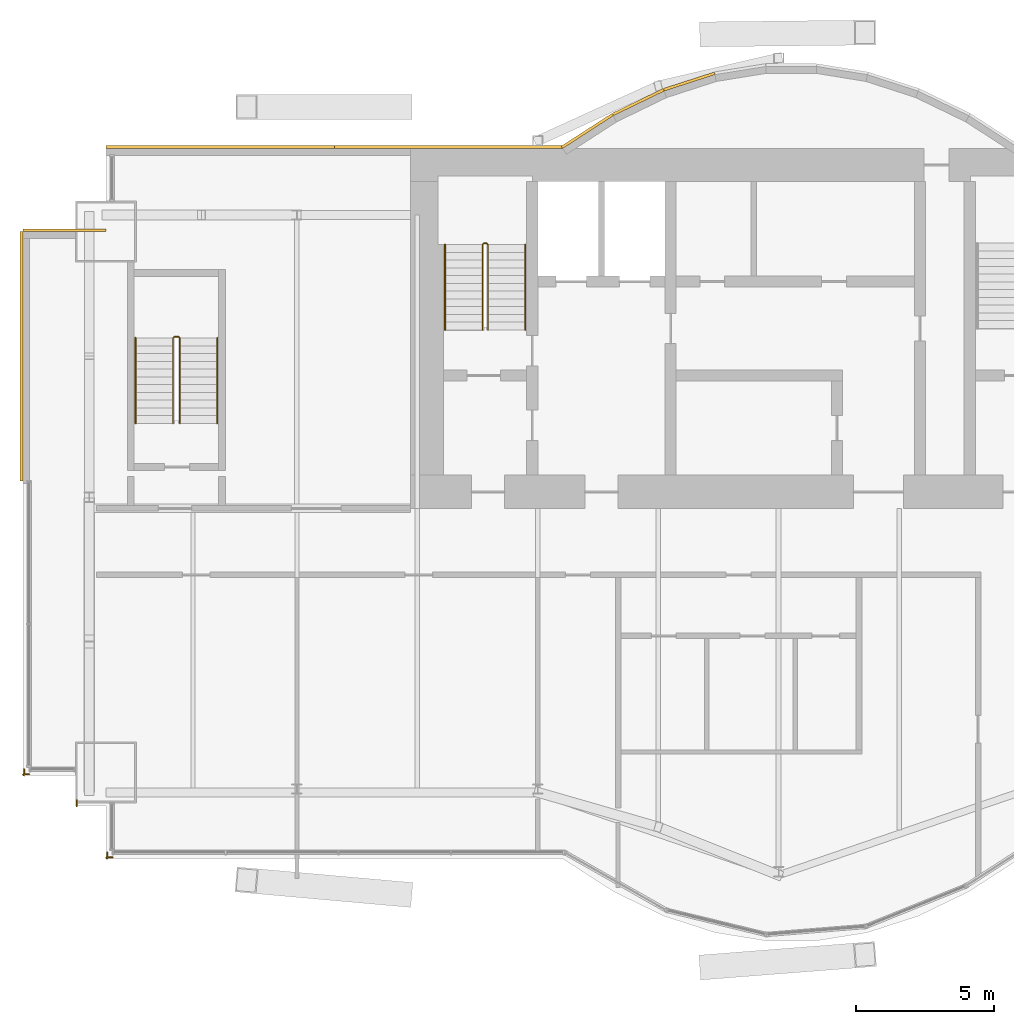
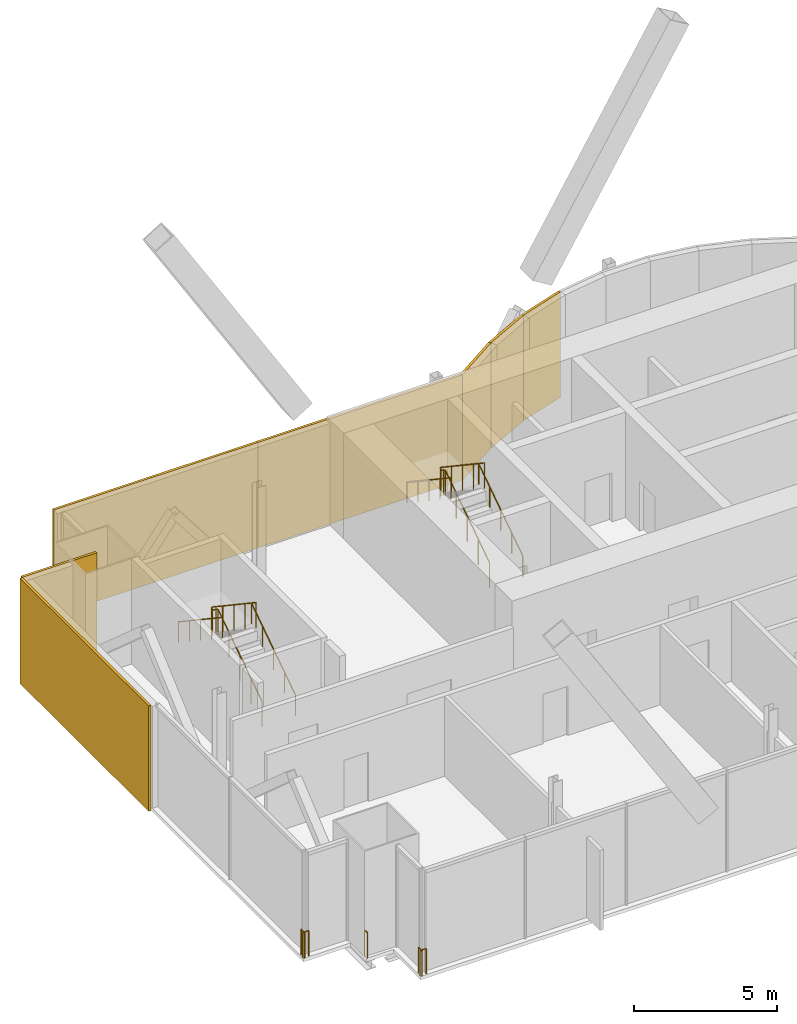
# One storey, part 17 of 19: 9 railings, 7 coverings.
"""IFC4 building model written with IfcOpenShell, lengths in metres."""

import ifcopenshell
import ifcopenshell.guid

model = None  # the IFC model being written
_history = None  # IfcOwnerHistory: only IFC2X3 demands one
_inside = {}  # id of a spatial element -> (the spatial element, [elements in it])
_under = {}  # id of a project, library or spatial element -> (it, [spatial elements below it])
_declared = {}  # id of a project -> (the project, [libraries it declares])
_typed = {}  # id of a type object -> (the type object, [elements of that type])
_made_of = {}  # id of a material, layer set ... -> (it, [elements and type objects made of it])


def new_model(schema):
    """Start an empty IFC model of exactly this schema.

    Asked for "IFC4X3", IfcOpenShell would pick the latest addendum, in which some entities
    have other attributes; the version numbers below select the first issue.
    IFC2X3 requires an IfcOwnerHistory on every rooted entity: one is made here for all.
    """
    global model, _history
    if schema == "IFC4X3":
        model = ifcopenshell.file(schema_version=(4, 3, 0, 0))
    else:
        model = ifcopenshell.file(schema=schema)
    _inside.clear()
    _under.clear()
    _declared.clear()
    _typed.clear()
    _made_of.clear()
    _history = None
    if model.schema == "IFC2X3":
        org = make("IfcOrganization", Name="unknown")
        user = make(
            "IfcPersonAndOrganization",
            ThePerson=make("IfcPerson", FamilyName="unknown"),
            TheOrganization=org,
        )
        app = make(
            "IfcApplication",
            ApplicationDeveloper=org,
            Version="unknown",
            ApplicationFullName="unknown",
            ApplicationIdentifier="unknown",
        )
        _history = make(
            "IfcOwnerHistory",
            OwningUser=user,
            OwningApplication=app,
            ChangeAction="ADDED",
            CreationDate=0,
        )
    return model


def make(cls, **values):
    """One entity of the class cls with the attributes given. An attribute that is None is left unset."""
    return model.create_entity(
        cls, **{name: value for name, value in values.items() if value is not None}
    )


def rooted(cls, **values):
    """An entity with a GlobalId (a new one), such as an element, a storey or a relation."""
    return make(cls, GlobalId=ifcopenshell.guid.new(), OwnerHistory=_history, **values)


def si_unit(unit_type, name, prefix=None):
    """IfcSIUnit, for example si_unit("LENGTHUNIT", "METRE", prefix="MILLI")."""
    return make("IfcSIUnit", UnitType=unit_type, Prefix=prefix, Name=name)


def assignment(units):
    """IfcUnitAssignment: the units of a project."""
    return None if units is None else make("IfcUnitAssignment", Units=units)


def point(xyz):
    """IfcCartesianPoint."""
    return None if xyz is None else make("IfcCartesianPoint", Coordinates=xyz)


def direction(xyz):
    """IfcDirection."""
    return None if xyz is None else make("IfcDirection", DirectionRatios=xyz)


def frame(location, z_axis=None, x_axis=None):
    """IfcAxis2Placement3D, a coordinate frame: its origin and axes. An axis left out is left unset."""
    return make(
        "IfcAxis2Placement3D",
        Location=point(location),
        Axis=direction(z_axis),
        RefDirection=direction(x_axis),
    )


def frame_2d(location, x_axis=None):
    """IfcAxis2Placement2D, a coordinate frame in the plane: its origin and x axis."""
    return make(
        "IfcAxis2Placement2D", Location=point(location), RefDirection=direction(x_axis)
    )


def origin():
    """The frame at (0, 0, 0) with its axes left unset."""
    return frame((0.0, 0.0, 0.0))


def origin_2d():
    """The frame at (0, 0) in the plane with its x axis left unset."""
    return frame_2d((0.0, 0.0))


def place(relative_to, where):
    """IfcLocalPlacement: puts the frame where relative to a parent placement (None: the world)."""
    return make(
        "IfcLocalPlacement", PlacementRelTo=relative_to, RelativePlacement=where
    )


def context(
    kind, dimensions, precision=None, world=None, true_north=None, identifier=None
):
    """IfcGeometricRepresentationContext, for example the 3D "Model" context."""
    return make(
        "IfcGeometricRepresentationContext",
        ContextIdentifier=identifier,
        ContextType=kind,
        CoordinateSpaceDimension=dimensions,
        Precision=precision,
        WorldCoordinateSystem=world,
        TrueNorth=true_north,
    )


def subcontext(parent, identifier, kind, view, scale=None):
    """IfcGeometricRepresentationSubContext, for example "Body" below "Model"."""
    return make(
        "IfcGeometricRepresentationSubContext",
        ContextIdentifier=identifier,
        ContextType=kind,
        ParentContext=parent,
        TargetScale=scale,
        TargetView=view,
    )


def project(units=None, contexts=None):
    """IfcProject with its units and contexts."""
    return rooted(
        "IfcProject",
        Name="project",
        RepresentationContexts=contexts,
        UnitsInContext=assignment(units),
    )


def spatial(cls, under=None, at=None, **own):
    """A site, building, storey or space (cls), placed at a placement, below another one or the project."""
    s = rooted(cls, ObjectPlacement=at, **own)
    if under is not None:
        _under.setdefault(under.id(), (under, []))[1].append(s)
    return s


def profile(cls, at=None, kind="AREA", **sizes):
    """A parametric profile (cls). Its sizes go by their IFC names, for example OverallWidth=200.0."""
    return make(cls, ProfileType=kind, Position=at, **sizes)


def rectangle(**sizes):
    """IfcRectangleProfileDef."""
    return profile("IfcRectangleProfileDef", **sizes)


def circle(**sizes):
    """IfcCircleProfileDef."""
    return profile("IfcCircleProfileDef", **sizes)


def extrude(swept, where, along, depth):
    """IfcExtrudedAreaSolid: the profile swept, set in the frame where, extruded along a direction by depth."""
    return make(
        "IfcExtrudedAreaSolid",
        SweptArea=swept,
        Position=where,
        ExtrudedDirection=direction(along),
        Depth=depth,
    )


def shape(context_of_items, identifier, shape_type, items):
    """IfcShapeRepresentation: the items that make up one representation, for example the "Body"."""
    return make(
        "IfcShapeRepresentation",
        ContextOfItems=context_of_items,
        RepresentationIdentifier=identifier,
        RepresentationType=shape_type,
        Items=items,
    )


def material(Name=None, Category=None):
    """IfcMaterial."""
    return make("IfcMaterial", Name=Name, Category=Category)


def layer(
    of_material, thickness, ventilated=None, Name=None, Category=None, Priority=None
):
    """IfcMaterialLayer: one layer of a wall or slab, of a material (None: an air gap)."""
    return make(
        "IfcMaterialLayer",
        Material=of_material,
        LayerThickness=thickness,
        IsVentilated=ventilated,
        Name=Name,
        Category=Category,
        Priority=Priority,
    )


def layer_set(layers, Name=None):
    """IfcMaterialLayerSet."""
    return make("IfcMaterialLayerSet", MaterialLayers=layers, LayerSetName=Name)


def made_of(thing, what):
    """Note that an element or type object is made of a material, layer set ...; save() writes the relation."""
    if what is not None:
        _made_of.setdefault(what.id(), (what, []))[1].append(thing)
    return thing


def type_object(cls, material=None, **own):
    """A type object (cls), such as IfcWallType, which elements share."""
    return made_of(rooted(cls, **own), material)


def element(
    cls,
    number,
    at=None,
    inside=None,
    cuts=None,
    type_object=None,
    material=None,
    context=None,
    identifier="Body",
    shape_type=None,
    held_by="IfcProductDefinitionShape",
    body=None,
    shapes=None,
    **own,
):
    """One element of the class cls, such as IfcWall. Its Tag is "e" and its number.

    at: its placement. inside: the storey or other place that contains it. cuts: it is an
    opening in that element (IfcRelVoidsElement). A single representation is given by context,
    identifier, shape_type and body (its items); several are given by shapes. held_by: the class
    of the entity that holds the representations. save() writes the other relations.
    """
    e = rooted(cls, Tag="e%d" % number, ObjectPlacement=at, **own)
    if body is not None:
        shapes = [shape(context, identifier, shape_type, body)]
    if shapes is not None:
        e.Representation = make(held_by, Representations=shapes)
    if inside is not None:
        _inside.setdefault(inside.id(), (inside, []))[1].append(e)
    if cuts is not None:
        rooted(
            "IfcRelVoidsElement", RelatingBuildingElement=cuts, RelatedOpeningElement=e
        )
    if type_object is not None:
        _typed.setdefault(type_object.id(), (type_object, []))[1].append(e)
    return made_of(e, material)


def aggregate(whole, parts):
    """IfcRelAggregates: a whole, such as a stair, and the parts it consists of."""
    return rooted("IfcRelAggregates", RelatingObject=whole, RelatedObjects=parts)


def save(model, path):
    """Write the relations noted so far, then the file.

    IfcRelAggregates (storeys below a building ...), IfcRelContainedInSpatialStructure (elements
    in a storey), IfcRelDefinesByType, IfcRelAssociatesMaterial and IfcRelDeclares: one each for
    every whole, place, type object, material and project.
    """
    for whole, parts in _under.values():
        aggregate(whole, parts)
    for where, things in _inside.values():
        rooted(
            "IfcRelContainedInSpatialStructure",
            RelatedElements=things,
            RelatingStructure=where,
        )
    for kind, things in _typed.values():
        rooted("IfcRelDefinesByType", RelatedObjects=things, RelatingType=kind)
    for what, things in _made_of.values():
        rooted("IfcRelAssociatesMaterial", RelatedObjects=things, RelatingMaterial=what)
    for by, libraries in _declared.values():
        rooted("IfcRelDeclares", RelatingContext=by, RelatedDefinitions=libraries)
    model.write(path)


model = new_model("IFC4")

# Units and contexts
model_context = context("Model", 3, precision=1e-05, world=origin(), true_north=direction((0.0, 1.0)))
body_context = subcontext(model_context, "Body", "Model", "MODEL_VIEW")
ifc_project = project(units=[si_unit("LENGTHUNIT", "METRE"), si_unit("AREAUNIT", "SQUARE_METRE"), si_unit("VOLUMEUNIT", "CUBIC_METRE"), si_unit("PLANEANGLEUNIT", "RADIAN"), si_unit("MASSUNIT", "GRAM", prefix="KILO")], contexts=[model_context])

# Site, building, storey
site_placement = place(None, origin())
site = spatial("IfcSite", under=ifc_project, at=site_placement, CompositionType="ELEMENT")
building_placement = place(site_placement, origin())
building = spatial("IfcBuilding", under=site, at=building_placement, Name="Bicima Exchange Tower", CompositionType="ELEMENT")
storey_placement = place(building_placement, frame((0.0, 0.0, 324.5)))
storey = spatial("IfcBuildingStorey", under=building, at=storey_placement, Name="L73", CompositionType="ELEMENT", Elevation=324.5)

# Coverings
ifc_material_1 = material(Name="Bronze metal cladding")
ifc_layer_1 = layer(ifc_material_1, 0.004)
ifc_material_2 = material(Name="Ventilated cavity")
ifc_layer_2 = layer(ifc_material_2, 0.06)
ifc_material_3 = material(Name="Galvanised steel rail and mineral wool", Category="steel")
ifc_layer_3 = layer(ifc_material_3, 0.036)
ifc_layer_set = layer_set([ifc_layer_1, ifc_layer_2, ifc_layer_3], Name="Ventilated cavity")
covering_type = type_object("IfcCoveringType", Name="Bronze metal cladding panel 100", PredefinedType="CLADDING", material=ifc_layer_set)
covering_1_placement = place(storey_placement, frame((-11.931884765625, 2.41796875, -0.14990234375), z_axis=(0.0, 0.0, 1.0), x_axis=(-0.951524642381, -0.307572519808, 0.0)))
element("IfcCovering", 1, at=covering_1_placement, inside=storey, type_object=covering_type, Name="Bronze cladding L73 17.1", PredefinedType="CLADDING", context=body_context, shape_type="SweptSolid", body=[
    extrude(rectangle(XDim=1.9267578125, YDim=0.10009765625, at=origin_2d()), origin(), (0.0, 0.0, 1.0), 4.5),
])
covering_2_placement = place(storey_placement, frame((-13.771728515625, 1.674560546875, -0.14990234375), z_axis=(0.0, 0.0, 1.0), x_axis=(-0.899818346812, -0.436264762204, 0.0)))
element("IfcCovering", 2, at=covering_2_placement, inside=storey, type_object=covering_type, Name="Bronze cladding L73 18.1", PredefinedType="CLADDING", context=body_context, shape_type="SweptSolid", body=[
    extrude(rectangle(XDim=2.03759765625, YDim=0.10009765625, at=origin_2d()), origin(), (0.0, 0.0, 1.0), 4.5),
])
covering_3_placement = place(storey_placement, frame((-15.610595703125, 0.634521484375, -0.14990234375), z_axis=(0.0, 0.0, 1.0), x_axis=(-0.839790466384, -0.542910648791, 0.0)))
element("IfcCovering", 3, at=covering_3_placement, inside=storey, type_object=covering_type, Name="Bronze cladding L73 19.1", PredefinedType="CLADDING", context=body_context, shape_type="SweptSolid", body=[
    extrude(rectangle(XDim=2.18310546875, YDim=0.10009765625, at=origin_2d()), origin(), (0.0, 0.0, 1.0), 4.5),
])
for number, where, z_axis, x_axis, name in (
    (4, (-20.625, 0.050048828125, -0.14990234375), (0.0, 0.0, 1.0), (-1.0, 0.0, 0.0), "Bronze cladding L73 20.1"),
    (5, (-28.875, 0.050048828125, -0.14990234375), (0.0, 0.0, 1.0), (-1.0, 0.0, 0.0), "Bronze cladding L73 20.2"),
):
    element("IfcCovering", number, at=place(storey_placement, frame(where, z_axis=z_axis, x_axis=x_axis)), inside=storey, type_object=covering_type, Name=name, PredefinedType="CLADDING", context=body_context, shape_type="SweptSolid", body=[
        extrude(rectangle(XDim=8.25, YDim=0.10009765625, at=origin_2d()), origin(), (0.0, 0.0, 1.0), 4.5),
    ])
covering_4_placement = place(storey_placement, frame((-34.5, -2.949951171875, -0.14990234375), z_axis=(0.0, 0.0, 1.0), x_axis=(-1.0, 0.0, 0.0)))
element("IfcCovering", 6, at=covering_4_placement, inside=storey, type_object=covering_type, Name="Bronze cladding L73 22.1", PredefinedType="CLADDING", context=body_context, shape_type="SweptSolid", body=[
    extrude(rectangle(XDim=3.0, YDim=0.10009765625, at=origin_2d()), origin(), (0.0, 0.0, 1.0), 4.5),
])
covering_5_placement = place(storey_placement, frame((-36.050048828125, -7.5, -0.14990234375), z_axis=(0.0, 0.0, 1.0), x_axis=(0.0, -1.0, 0.0)))
element("IfcCovering", 7, at=covering_5_placement, inside=storey, type_object=covering_type, Name="Bronze cladding L73 23.1", PredefinedType="CLADDING", context=body_context, shape_type="SweptSolid", body=[
    extrude(rectangle(XDim=9.0, YDim=0.10009765625, at=origin_2d()), origin(), (0.0, 0.0, 1.0), 4.5),
])

# Railings
ifc_material_4 = material(Name="Stainless steel and bonded safety glass", Category="steel")
railing_type_1 = type_object("IfcRailingType", Name="Edge guard 1100", PredefinedType="GUARDRAIL", material=ifc_material_4)
railing_1_placement = place(storey_placement, frame((-35.762939453125, -22.60205078125, 0.0)))
element("IfcRailing", 8, at=railing_1_placement, inside=storey, type_object=railing_type_1, Name="Edge guard L73 379", PredefinedType="GUARDRAIL", context=body_context, shape_type="SweptSolid", body=[
    extrude(circle(Radius=0.02392578125, at=origin_2d()), frame((0.0, 0.0, 1.076171875), z_axis=(-1.0, 0.0, 0.0), x_axis=(0.0, -1.0, 0.0)), (0.0, 0.0, 1.0), 0.237060546875),
    extrude(circle(Radius=0.02392578125, at=origin_2d()), frame((-0.237060546875, 0.0, 1.076171875), z_axis=(0.707106781187, -0.707106781187, 0.0), x_axis=(0.707106781187, 0.707106781187, 0.0)), (0.0, 0.0, 1.0), 0.07080078125),
    extrude(circle(Radius=0.02392578125, at=origin_2d()), frame((-0.18701171875, -0.050048828125, 1.076171875), z_axis=(0.0, 1.0, 0.0), x_axis=(-1.0, 0.0, 0.0)), (0.0, 0.0, 1.0), 0.2490234375),
    extrude(circle(Radius=0.02099609375, at=origin_2d()), origin(), (0.0, 0.0, 1.0), 1.052001953125),
    extrude(circle(Radius=0.02099609375, at=origin_2d()), frame((-0.237060546875, 0.0, 0.0)), (0.0, 0.0, 1.0), 1.052001953125),
    extrude(circle(Radius=0.02099609375, at=origin_2d()), frame((-0.18701171875, -0.050048828125, 0.0)), (0.0, 0.0, 1.0), 1.052001953125),
    extrude(circle(Radius=0.02099609375, at=origin_2d()), frame((-0.18701171875, 0.198974609375, 0.0)), (0.0, 0.0, 1.0), 1.052001953125),
])
railing_2_placement = place(storey_placement, frame((-32.75, -25.60205078125, 0.0)))
element("IfcRailing", 9, at=railing_2_placement, inside=storey, type_object=railing_type_1, Name="Edge guard L73 383", PredefinedType="GUARDRAIL", context=body_context, shape_type="SweptSolid", body=[
    extrude(circle(Radius=0.02392578125, at=origin_2d()), frame((0.0, 0.0, 1.076171875), z_axis=(-1.0, 0.0, 0.0), x_axis=(0.0, -1.0, 0.0)), (0.0, 0.0, 1.0), 0.25),
    extrude(circle(Radius=0.02392578125, at=origin_2d()), frame((-0.25, 0.0, 1.076171875), z_axis=(0.707106781187, -0.707106781187, 0.0), x_axis=(0.707106781187, 0.707106781187, 0.0)), (0.0, 0.0, 1.0), 0.07080078125),
    extrude(circle(Radius=0.02392578125, at=origin_2d()), frame((-0.199951171875, -0.050048828125, 1.076171875), z_axis=(0.0, 1.0, 0.0), x_axis=(-1.0, 0.0, 0.0)), (0.0, 0.0, 1.0), 0.237060546875),
    extrude(circle(Radius=0.02099609375, at=origin_2d()), origin(), (0.0, 0.0, 1.0), 1.052001953125),
    extrude(circle(Radius=0.02099609375, at=origin_2d()), frame((-0.25, 0.0, 0.0)), (0.0, 0.0, 1.0), 1.052001953125),
    extrude(circle(Radius=0.02099609375, at=origin_2d()), frame((-0.199951171875, -0.050048828125, 0.0)), (0.0, 0.0, 1.0), 1.052001953125),
    extrude(circle(Radius=0.02099609375, at=origin_2d()), frame((-0.199951171875, 0.18701171875, 0.0)), (0.0, 0.0, 1.0), 1.052001953125),
])
railing_3_placement = place(storey_placement, frame((-34.050048828125, -23.751953125, 0.0)))
element("IfcRailing", 10, at=railing_3_placement, inside=storey, type_object=railing_type_1, Name="Edge guard L73 384", PredefinedType="GUARDRAIL", context=body_context, shape_type="SweptSolid", body=[
    extrude(circle(Radius=0.02392578125, at=origin_2d()), frame((0.0, 0.0, 1.076171875), z_axis=(0.0, 1.0, 0.0), x_axis=(-1.0, 0.0, 0.0)), (0.0, 0.0, 1.0), 0.219970703125),
    extrude(circle(Radius=0.02099609375, at=origin_2d()), origin(), (0.0, 0.0, 1.0), 1.052001953125),
    extrude(circle(Radius=0.02099609375, at=origin_2d()), frame((0.0, 0.219970703125, 0.0)), (0.0, 0.0, 1.0), 1.052001953125),
])
ifc_material_5 = material(Name="Stainless steel", Category="steel")
railing_type_2 = type_object("IfcRailingType", Name="Stair guard 1100", PredefinedType="GUARDRAIL", material=ifc_material_5)
railing_4_placement = place(storey_placement, frame((-19.199951171875, -6.550048828125, 0.1875)))
element("IfcRailing", 11, at=railing_4_placement, inside=storey, type_object=railing_type_2, Name="L73 ST-W stair guard 1", PredefinedType="GUARDRAIL", context=body_context, shape_type="SweptSolid", body=[
    extrude(circle(Radius=0.02392578125, at=origin_2d()), frame((0.0, 0.0, 1.076171875), z_axis=(0.0, 0.830913701846, 0.55640131208), x_axis=(-1.0, 0.0, 0.0)), (0.0, 0.0, 1.0), 3.706787109375),
    extrude(circle(Radius=0.02392578125, at=origin_2d()), frame((0.0, 3.080078125, 3.138671875), z_axis=(-0.707106781187, 0.707106781187, 0.0), x_axis=(-0.707106781187, -0.707106781187, 0.0)), (0.0, 0.0, 1.0), 0.07080078125),
    extrude(circle(Radius=0.02392578125, at=origin_2d()), frame((-0.050048828125, 3.130126953125, 3.138671875), z_axis=(-1.0, 0.0, 0.0), x_axis=(0.0, -1.0, 0.0)), (0.0, 0.0, 1.0), 0.10009765625),
    extrude(circle(Radius=0.02392578125, at=origin_2d()), frame((-0.150146484375, 3.130126953125, 3.138671875), z_axis=(-0.248583702486, -0.249802250048, 0.935844527007), x_axis=(0.708833529934, -0.705375805398, 0.0)), (0.0, 0.0, 1.0), 0.200439453125),
    extrude(circle(Radius=0.02392578125, at=origin_2d()), frame((-0.199951171875, 3.080078125, 3.326171875), z_axis=(0.0, -0.830913701846, 0.55640131208), x_axis=(1.0, 0.0, 0.0)), (0.0, 0.0, 1.0), 3.706787109375),
    extrude(circle(Radius=0.02099609375, at=origin_2d()), origin(), (0.0, 0.0, 1.0), 1.052001953125),
    extrude(circle(Radius=0.02099609375, at=origin_2d()), frame((0.0, 0.77001953125, 0.515625)), (0.0, 0.0, 1.0), 1.052001953125),
    extrude(circle(Radius=0.02099609375, at=origin_2d()), frame((0.0, 1.5400390625, 1.03125)), (0.0, 0.0, 1.0), 1.052001953125),
    extrude(circle(Radius=0.02099609375, at=origin_2d()), frame((0.0, 2.31005859375, 1.546875)), (0.0, 0.0, 1.0), 1.052001953125),
    extrude(circle(Radius=0.02099609375, at=origin_2d()), frame((0.0, 3.080078125, 2.0625)), (0.0, 0.0, 1.0), 1.052001953125),
    extrude(circle(Radius=0.02099609375, at=origin_2d()), frame((-0.050048828125, 3.130126953125, 2.0625)), (0.0, 0.0, 1.0), 1.052001953125),
    extrude(circle(Radius=0.02099609375, at=origin_2d()), frame((-0.150146484375, 3.130126953125, 2.0625)), (0.0, 0.0, 1.0), 1.052001953125),
    extrude(circle(Radius=0.02099609375, at=origin_2d()), frame((-0.199951171875, 3.080078125, 2.25)), (0.0, 0.0, 1.0), 1.052001953125),
    extrude(circle(Radius=0.02099609375, at=origin_2d()), frame((-0.199951171875, 2.31005859375, 2.765625)), (0.0, 0.0, 1.0), 1.052001953125),
    extrude(circle(Radius=0.02099609375, at=origin_2d()), frame((-0.199951171875, 1.5400390625, 3.28125)), (0.0, 0.0, 1.0), 1.052001953125),
    extrude(circle(Radius=0.02099609375, at=origin_2d()), frame((-0.199951171875, 0.77001953125, 3.796875)), (0.0, 0.0, 1.0), 1.052001953125),
    extrude(circle(Radius=0.02099609375, at=origin_2d()), frame((-0.199951171875, 0.0, 4.3125)), (0.0, 0.0, 1.0), 1.052001953125),
])
railing_5_placement = place(storey_placement, frame((-30.324951171875, -9.925048828125, 0.1875)))
element("IfcRailing", 12, at=railing_5_placement, inside=storey, type_object=railing_type_2, Name="L73 ST-WW stair guard 1", PredefinedType="GUARDRAIL", context=body_context, shape_type="SweptSolid", body=[
    extrude(circle(Radius=0.02392578125, at=origin_2d()), frame((0.0, 0.0, 1.076171875), z_axis=(0.0, 0.830913701846, 0.55640131208), x_axis=(-1.0, 0.0, 0.0)), (0.0, 0.0, 1.0), 3.706787109375),
    extrude(circle(Radius=0.02392578125, at=origin_2d()), frame((0.0, 3.080078125, 3.138671875), z_axis=(-0.707106781187, 0.707106781187, 0.0), x_axis=(-0.707106781187, -0.707106781187, 0.0)), (0.0, 0.0, 1.0), 0.07080078125),
    extrude(circle(Radius=0.02392578125, at=origin_2d()), frame((-0.050048828125, 3.130126953125, 3.138671875), z_axis=(-1.0, 0.0, 0.0), x_axis=(0.0, -1.0, 0.0)), (0.0, 0.0, 1.0), 0.14990234375),
    extrude(circle(Radius=0.02392578125, at=origin_2d()), frame((-0.199951171875, 3.130126953125, 3.138671875), z_axis=(-0.249726431254, -0.249726431254, 0.935560483917), x_axis=(0.707106781187, -0.707106781187, 0.0)), (0.0, 0.0, 1.0), 0.200439453125),
    extrude(circle(Radius=0.02392578125, at=origin_2d()), frame((-0.25, 3.080078125, 3.326171875), z_axis=(0.0, -0.830913701846, 0.55640131208), x_axis=(1.0, 0.0, 0.0)), (0.0, 0.0, 1.0), 3.706787109375),
    extrude(circle(Radius=0.02099609375, at=origin_2d()), origin(), (0.0, 0.0, 1.0), 1.052001953125),
    extrude(circle(Radius=0.02099609375, at=origin_2d()), frame((0.0, 0.77001953125, 0.515625)), (0.0, 0.0, 1.0), 1.052001953125),
    extrude(circle(Radius=0.02099609375, at=origin_2d()), frame((0.0, 1.5400390625, 1.03125)), (0.0, 0.0, 1.0), 1.052001953125),
    extrude(circle(Radius=0.02099609375, at=origin_2d()), frame((0.0, 2.31005859375, 1.546875)), (0.0, 0.0, 1.0), 1.052001953125),
    extrude(circle(Radius=0.02099609375, at=origin_2d()), frame((0.0, 3.080078125, 2.0625)), (0.0, 0.0, 1.0), 1.052001953125),
    extrude(circle(Radius=0.02099609375, at=origin_2d()), frame((-0.050048828125, 3.130126953125, 2.0625)), (0.0, 0.0, 1.0), 1.052001953125),
    extrude(circle(Radius=0.02099609375, at=origin_2d()), frame((-0.199951171875, 3.130126953125, 2.0625)), (0.0, 0.0, 1.0), 1.052001953125),
    extrude(circle(Radius=0.02099609375, at=origin_2d()), frame((-0.25, 3.080078125, 2.25)), (0.0, 0.0, 1.0), 1.052001953125),
    extrude(circle(Radius=0.02099609375, at=origin_2d()), frame((-0.25, 2.31005859375, 2.765625)), (0.0, 0.0, 1.0), 1.052001953125),
    extrude(circle(Radius=0.02099609375, at=origin_2d()), frame((-0.25, 1.5400390625, 3.28125)), (0.0, 0.0, 1.0), 1.052001953125),
    extrude(circle(Radius=0.02099609375, at=origin_2d()), frame((-0.25, 0.77001953125, 3.796875)), (0.0, 0.0, 1.0), 1.052001953125),
    extrude(circle(Radius=0.02099609375, at=origin_2d()), frame((-0.25, 0.0, 4.3125)), (0.0, 0.0, 1.0), 1.052001953125),
])
railing_type_3 = type_object("IfcRailingType", Name="Stair handrail 900", PredefinedType="HANDRAIL", material=ifc_material_5)
railing_6_placement = place(storey_placement, frame((-17.85009765625, -6.550048828125, 0.1875)))
element("IfcRailing", 13, at=railing_6_placement, inside=storey, type_object=railing_type_3, Name="L73 ST-W stair handrail 1", PredefinedType="HANDRAIL", context=body_context, shape_type="SweptSolid", body=[
    extrude(circle(Radius=0.02392578125, at=origin_2d()), frame((0.0, 0.0, 0.8759765625), z_axis=(0.0, 0.830913701846, 0.55640131208), x_axis=(-1.0, 0.0, 0.0)), (0.0, 0.0, 1.0), 3.706787109375),
    extrude(circle(Radius=0.02099609375, at=origin_2d()), origin(), (0.0, 0.0, 1.0), 0.851806640625),
    extrude(circle(Radius=0.02099609375, at=origin_2d()), frame((0.0, 0.77001953125, 0.515625)), (0.0, 0.0, 1.0), 0.851806640625),
    extrude(circle(Radius=0.02099609375, at=origin_2d()), frame((0.0, 1.5400390625, 1.03125)), (0.0, 0.0, 1.0), 0.851806640625),
    extrude(circle(Radius=0.02099609375, at=origin_2d()), frame((0.0, 2.31005859375, 1.546875)), (0.0, 0.0, 1.0), 0.851806640625),
    extrude(circle(Radius=0.02099609375, at=origin_2d()), frame((0.0, 3.080078125, 2.0625)), (0.0, 0.0, 1.0), 0.851806640625),
])
railing_7_placement = place(storey_placement, frame((-20.75, -3.469970703125, 2.47900390625)))
element("IfcRailing", 14, at=railing_7_placement, inside=storey, type_object=railing_type_3, Name="L73 ST-W stair handrail 2", PredefinedType="HANDRAIL", context=body_context, shape_type="SweptSolid", body=[
    extrude(circle(Radius=0.02392578125, at=origin_2d()), frame((0.0, 0.0, 0.8759765625), z_axis=(0.0, -0.830913701846, 0.55640131208), x_axis=(1.0, 0.0, 0.0)), (0.0, 0.0, 1.0), 3.706787109375),
    extrude(circle(Radius=0.02099609375, at=origin_2d()), origin(), (0.0, 0.0, 1.0), 0.851806640625),
    extrude(circle(Radius=0.02099609375, at=origin_2d()), frame((0.0, -0.77001953125, 0.515625)), (0.0, 0.0, 1.0), 0.851806640625),
    extrude(circle(Radius=0.02099609375, at=origin_2d()), frame((0.0, -1.5400390625, 1.03125)), (0.0, 0.0, 1.0), 0.851806640625),
    extrude(circle(Radius=0.02099609375, at=origin_2d()), frame((0.0, -2.31005859375, 1.546875)), (0.0, 0.0, 1.0), 0.851806640625),
    extrude(circle(Radius=0.02099609375, at=origin_2d()), frame((0.0, -3.080078125, 2.0625)), (0.0, 0.0, 1.0), 0.851806640625),
])
railing_8_placement = place(storey_placement, frame((-28.97509765625, -9.925048828125, 0.1875)))
element("IfcRailing", 15, at=railing_8_placement, inside=storey, type_object=railing_type_3, Name="L73 ST-WW stair handrail 1", PredefinedType="HANDRAIL", context=body_context, shape_type="SweptSolid", body=[
    extrude(circle(Radius=0.02392578125, at=origin_2d()), frame((0.0, 0.0, 0.8759765625), z_axis=(0.0, 0.830913701846, 0.55640131208), x_axis=(-1.0, 0.0, 0.0)), (0.0, 0.0, 1.0), 3.706787109375),
    extrude(circle(Radius=0.02099609375, at=origin_2d()), origin(), (0.0, 0.0, 1.0), 0.851806640625),
    extrude(circle(Radius=0.02099609375, at=origin_2d()), frame((0.0, 0.77001953125, 0.515625)), (0.0, 0.0, 1.0), 0.851806640625),
    extrude(circle(Radius=0.02099609375, at=origin_2d()), frame((0.0, 1.5400390625, 1.03125)), (0.0, 0.0, 1.0), 0.851806640625),
    extrude(circle(Radius=0.02099609375, at=origin_2d()), frame((0.0, 2.31005859375, 1.546875)), (0.0, 0.0, 1.0), 0.851806640625),
    extrude(circle(Radius=0.02099609375, at=origin_2d()), frame((0.0, 3.080078125, 2.0625)), (0.0, 0.0, 1.0), 0.851806640625),
])
railing_9_placement = place(storey_placement, frame((-31.925048828125, -6.844970703125, 2.47900390625)))
element("IfcRailing", 16, at=railing_9_placement, inside=storey, type_object=railing_type_3, Name="L73 ST-WW stair handrail 2", PredefinedType="HANDRAIL", context=body_context, shape_type="SweptSolid", body=[
    extrude(circle(Radius=0.02392578125, at=origin_2d()), frame((0.0, 0.0, 0.8759765625), z_axis=(0.0, -0.830913701846, 0.55640131208), x_axis=(1.0, 0.0, 0.0)), (0.0, 0.0, 1.0), 3.706787109375),
    extrude(circle(Radius=0.02099609375, at=origin_2d()), origin(), (0.0, 0.0, 1.0), 0.851806640625),
    extrude(circle(Radius=0.02099609375, at=origin_2d()), frame((0.0, -0.77001953125, 0.515625)), (0.0, 0.0, 1.0), 0.851806640625),
    extrude(circle(Radius=0.02099609375, at=origin_2d()), frame((0.0, -1.5400390625, 1.03125)), (0.0, 0.0, 1.0), 0.851806640625),
    extrude(circle(Radius=0.02099609375, at=origin_2d()), frame((0.0, -2.31005859375, 1.546875)), (0.0, 0.0, 1.0), 0.851806640625),
    extrude(circle(Radius=0.02099609375, at=origin_2d()), frame((0.0, -3.080078125, 2.0625)), (0.0, 0.0, 1.0), 0.851806640625),
])

save(model, "model.ifc")
